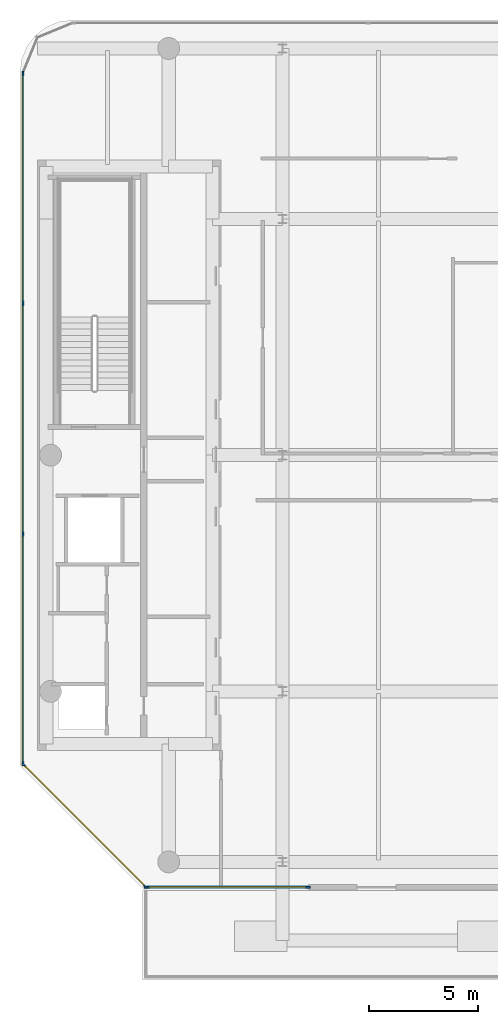
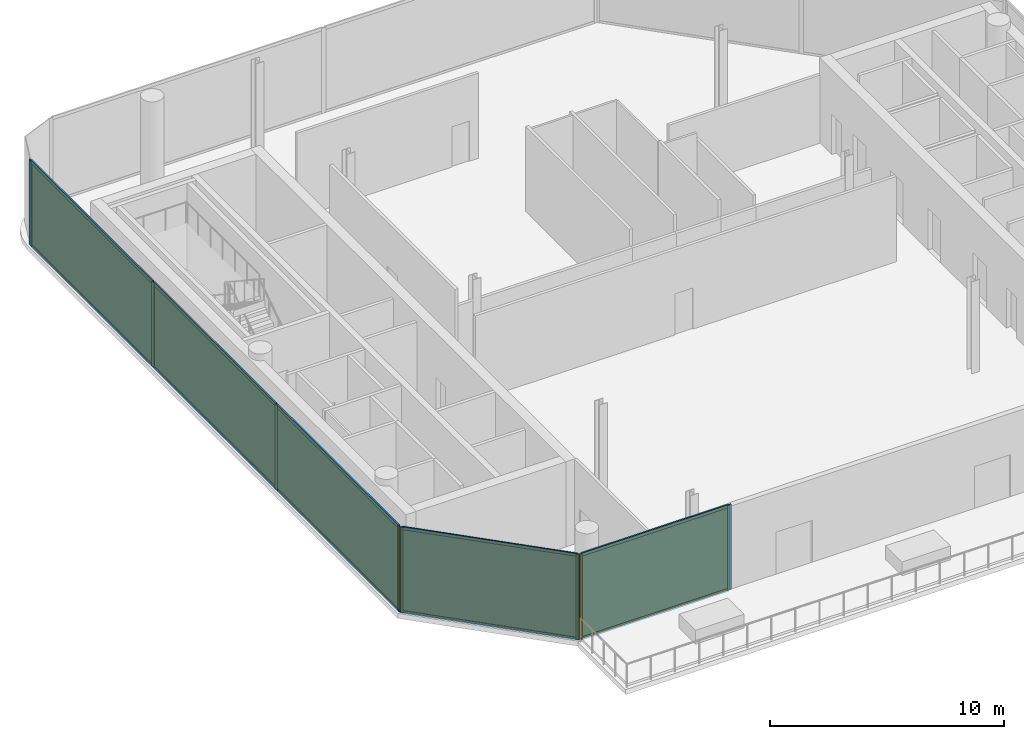
# One storey, part 7 of 14: 18 members, 5 plates, 3 curtain walls.
"""IFC4 building model written with IfcOpenShell, lengths in metres."""

from ifc_helpers import new_model, si_unit, direction, frame, frame_2d, origin, origin_2d, place, context, subcontext, project, spatial, rectangle, extrude, material, layer, layer_set, material_profile, profile_set, type_object, element, aggregate, save


model = new_model("IFC4")

# Units and contexts
model_context = context("Model", 3, precision=1e-05, world=origin(), true_north=direction((0.0, 1.0)))
body_context = subcontext(model_context, "Body", "Model", "MODEL_VIEW")
ifc_project = project(units=[si_unit("LENGTHUNIT", "METRE"), si_unit("AREAUNIT", "SQUARE_METRE"), si_unit("VOLUMEUNIT", "CUBIC_METRE"), si_unit("PLANEANGLEUNIT", "RADIAN"), si_unit("MASSUNIT", "GRAM", prefix="KILO")], contexts=[model_context])

# Member
ifc_material_1 = material(Name="Anodised Bronze Aluminium 6063-T6", Category="aluminium")
ifc_material_profile_1 = material_profile(ifc_material_1, rectangle(XDim=0.074951171875, YDim=0.2099609375, at=origin_2d()))
ifc_profile_set_1 = profile_set([ifc_material_profile_1], Name="Anodised Bronze Aluminium 6063-T6")
member_type_1 = type_object("IfcMemberType", Name="CW-CRN Mullion 75x210", PredefinedType="MULLION", material=ifc_profile_set_1)
site_placement = place(None, origin())
building_placement = place(site_placement, origin())
storey_placement = place(building_placement, frame((0.0, 0.0, 320.39990234375)))
member_1_placement = place(storey_placement, frame((-15.404541015625, -19.760009765625, 0.0), z_axis=(0.0, 0.0, 1.0), x_axis=(0.0, 1.0, 0.0)))
member_1 = element("IfcMember", 1, at=member_1_placement, type_object=member_type_1, Name="CW-CRN mullion 1", PredefinedType="MULLION", context=body_context, shape_type="SweptSolid", body=[
    extrude(rectangle(XDim=0.074951171875, YDim=0.2099609375, at=origin_2d()), origin(), (0.0, 0.0, 1.0), 4.4501953125),
])

member_2_placement = place(storey_placement, frame((-8.03759765625, -19.760009765625, 0.0), z_axis=(0.0, 0.0, 1.0), x_axis=(0.0, 1.0, 0.0)))
member_2 = element("IfcMember", 2, at=member_2_placement, type_object=member_type_1, Name="CW-CRN mullion 2", PredefinedType="MULLION", context=body_context, shape_type="SweptSolid", body=[
    extrude(rectangle(XDim=0.074951171875, YDim=0.2099609375, at=origin_2d()), origin(), (0.0, 0.0, 1.0), 4.4501953125),
])

member_3_placement = place(storey_placement, frame((-21.06005859375, -14.1044921875, 0.0), z_axis=(0.0, 0.0, 1.0), x_axis=(-1.0, 0.0, 0.0)))
member_3 = element("IfcMember", 3, at=member_3_placement, type_object=member_type_1, Name="CW-CRN mullion 1", PredefinedType="MULLION", context=body_context, shape_type="SweptSolid", body=[
    extrude(rectangle(XDim=0.074951171875, YDim=0.2099609375, at=origin_2d()), origin(), (0.0, 0.0, 1.0), 4.4501953125),
])

member_4_placement = place(storey_placement, frame((-21.06005859375, -3.59765625, 0.0), z_axis=(0.0, 0.0, 1.0), x_axis=(-1.0, 0.0, 0.0)))
member_4 = element("IfcMember", 4, at=member_4_placement, type_object=member_type_1, Name="CW-CRN mullion 2", PredefinedType="MULLION", context=body_context, shape_type="SweptSolid", body=[
    extrude(rectangle(XDim=0.074951171875, YDim=0.2099609375, at=origin_2d()), origin(), (0.0, 0.0, 1.0), 4.4501953125),
])

member_5_placement = place(storey_placement, frame((-21.06005859375, 6.946533203125, 0.0), z_axis=(0.0, 0.0, 1.0), x_axis=(-1.0, 0.0, 0.0)))
member_5 = element("IfcMember", 5, at=member_5_placement, type_object=member_type_1, Name="CW-CRN mullion 3", PredefinedType="MULLION", context=body_context, shape_type="SweptSolid", body=[
    extrude(rectangle(XDim=0.074951171875, YDim=0.2099609375, at=origin_2d()), origin(), (0.0, 0.0, 1.0), 4.4501953125),
])

member_6_placement = place(storey_placement, frame((-21.06005859375, 17.453369140625, 0.0), z_axis=(0.0, 0.0, 1.0), x_axis=(-1.0, 0.0, 0.0)))
member_6 = element("IfcMember", 6, at=member_6_placement, type_object=member_type_1, Name="CW-CRN mullion 4", PredefinedType="MULLION", context=body_context, shape_type="SweptSolid", body=[
    extrude(rectangle(XDim=0.074951171875, YDim=0.2099609375, at=origin_2d()), origin(), (0.0, 0.0, 1.0), 4.4501953125),
])

ifc_material_2 = material(Name="Anodised Bronze Aluminium 6063-T6", Category="aluminium")
ifc_material_profile_2 = material_profile(ifc_material_2, rectangle(XDim=0.074951171875, YDim=0.1650390625, at=origin_2d()))
ifc_profile_set_2 = profile_set([ifc_material_profile_2], Name="Anodised Bronze Aluminium 6063-T6")
member_type_2 = type_object("IfcMemberType", Name="CW-CRN Transom 75x165", PredefinedType="USERDEFINED", material=ifc_profile_set_2)
member_7_placement = place(storey_placement, frame((-15.366943359375, -19.760009765625, 0.03759765625), z_axis=(1.0, 0.0, 0.0), x_axis=(0.0, 1.0, 0.0)))
member_7 = element("IfcMember", 7, at=member_7_placement, type_object=member_type_2, Name="CW-CRN transom 1.1", ObjectType="TRANSOM", PredefinedType="USERDEFINED", context=body_context, shape_type="SweptSolid", body=[
    extrude(rectangle(XDim=0.074951171875, YDim=0.1650390625, at=origin_2d()), origin(), (0.0, 0.0, 1.0), 7.2919921875),
])

member_8_placement = place(storey_placement, frame((-15.366943359375, -19.760009765625, 4.41259765625), z_axis=(1.0, 0.0, 0.0), x_axis=(0.0, 1.0, 0.0)))
member_8 = element("IfcMember", 8, at=member_8_placement, type_object=member_type_2, Name="CW-CRN transom 1.2", ObjectType="TRANSOM", PredefinedType="USERDEFINED", context=body_context, shape_type="SweptSolid", body=[
    extrude(rectangle(XDim=0.074951171875, YDim=0.1650390625, at=origin_2d()), origin(), (0.0, 0.0, 1.0), 7.2919921875),
])

member_9_placement = place(storey_placement, frame((-21.06005859375, -14.06689453125, 0.03759765625), z_axis=(0.0, 1.0, 0.0), x_axis=(-1.0, 0.0, 0.0)))
member_9 = element("IfcMember", 9, at=member_9_placement, type_object=member_type_2, Name="CW-CRN transom 1.1", ObjectType="TRANSOM", PredefinedType="USERDEFINED", context=body_context, shape_type="SweptSolid", body=[
    extrude(rectangle(XDim=0.074951171875, YDim=0.1650390625, at=origin_2d()), origin(), (0.0, 0.0, 1.0), 10.431640625),
])

member_10_placement = place(storey_placement, frame((-21.06005859375, -14.06689453125, 4.41259765625), z_axis=(0.0, 1.0, 0.0), x_axis=(-1.0, 0.0, 0.0)))
member_10 = element("IfcMember", 10, at=member_10_placement, type_object=member_type_2, Name="CW-CRN transom 1.2", ObjectType="TRANSOM", PredefinedType="USERDEFINED", context=body_context, shape_type="SweptSolid", body=[
    extrude(rectangle(XDim=0.074951171875, YDim=0.1650390625, at=origin_2d()), origin(), (0.0, 0.0, 1.0), 10.431640625),
])

member_11_placement = place(storey_placement, frame((-21.06005859375, -3.560302734375, 0.03759765625), z_axis=(0.0, 1.0, 0.0), x_axis=(-1.0, 0.0, 0.0)))
member_11 = element("IfcMember", 11, at=member_11_placement, type_object=member_type_2, Name="CW-CRN transom 2.1", ObjectType="TRANSOM", PredefinedType="USERDEFINED", context=body_context, shape_type="SweptSolid", body=[
    extrude(rectangle(XDim=0.074951171875, YDim=0.1650390625, at=origin_2d()), origin(), (0.0, 0.0, 1.0), 10.46923828125),
])

member_12_placement = place(storey_placement, frame((-21.06005859375, -3.560302734375, 4.41259765625), z_axis=(0.0, 1.0, 0.0), x_axis=(-1.0, 0.0, 0.0)))
member_12 = element("IfcMember", 12, at=member_12_placement, type_object=member_type_2, Name="CW-CRN transom 2.2", ObjectType="TRANSOM", PredefinedType="USERDEFINED", context=body_context, shape_type="SweptSolid", body=[
    extrude(rectangle(XDim=0.074951171875, YDim=0.1650390625, at=origin_2d()), origin(), (0.0, 0.0, 1.0), 10.46923828125),
])

member_13_placement = place(storey_placement, frame((-21.06005859375, 6.984130859375, 0.03759765625), z_axis=(0.0, 1.0, 0.0), x_axis=(-1.0, 0.0, 0.0)))
member_13 = element("IfcMember", 13, at=member_13_placement, type_object=member_type_2, Name="CW-CRN transom 3.1", ObjectType="TRANSOM", PredefinedType="USERDEFINED", context=body_context, shape_type="SweptSolid", body=[
    extrude(rectangle(XDim=0.074951171875, YDim=0.1650390625, at=origin_2d()), origin(), (0.0, 0.0, 1.0), 10.431640625),
])

member_14_placement = place(storey_placement, frame((-21.06005859375, 6.984130859375, 4.41259765625), z_axis=(0.0, 1.0, 0.0), x_axis=(-1.0, 0.0, 0.0)))
member_14 = element("IfcMember", 14, at=member_14_placement, type_object=member_type_2, Name="CW-CRN transom 3.2", ObjectType="TRANSOM", PredefinedType="USERDEFINED", context=body_context, shape_type="SweptSolid", body=[
    extrude(rectangle(XDim=0.074951171875, YDim=0.1650390625, at=origin_2d()), origin(), (0.0, 0.0, 1.0), 10.431640625),
])

ifc_material_3 = material(Name="Anodised Bronze Aluminium 6063-T6", Category="aluminium")
ifc_material_profile_3 = material_profile(ifc_material_3, rectangle(XDim=0.070068359375, YDim=0.18994140625, at=origin_2d()))
ifc_profile_set_3 = profile_set([ifc_material_profile_3], Name="Anodised Bronze Aluminium 6063-T6")
member_type_3 = type_object("IfcMemberType", Name="CW-SLC Mullion 70x190", PredefinedType="MULLION", material=ifc_profile_set_3)
member_15_placement = place(storey_placement, frame((-15.466796875, -19.7353515625, 0.0), z_axis=(0.0, 0.0, 1.0), x_axis=(-0.707106781187, -0.707106781187, 0.0)))
member_15 = element("IfcMember", 15, at=member_15_placement, type_object=member_type_3, Name="CW-SLC mullion 1", PredefinedType="MULLION", context=body_context, shape_type="SweptSolid", body=[
    extrude(rectangle(XDim=0.070068359375, YDim=0.18994140625, at=origin_2d()), origin(), (0.0, 0.0, 1.0), 4.4501953125),
])

member_16_placement = place(storey_placement, frame((-21.03515625, -14.166748046875, 0.0), z_axis=(0.0, 0.0, 1.0), x_axis=(-0.707106781187, -0.707106781187, 0.0)))
member_16 = element("IfcMember", 16, at=member_16_placement, type_object=member_type_3, Name="CW-SLC mullion 2", PredefinedType="MULLION", context=body_context, shape_type="SweptSolid", body=[
    extrude(rectangle(XDim=0.070068359375, YDim=0.18994140625, at=origin_2d()), origin(), (0.0, 0.0, 1.0), 4.4501953125),
])

ifc_material_4 = material(Name="Anodised Bronze Aluminium 6063-T6", Category="aluminium")
ifc_material_profile_4 = material_profile(ifc_material_4, rectangle(XDim=0.070068359375, YDim=0.14990234375, at=origin_2d()))
ifc_profile_set_4 = profile_set([ifc_material_profile_4], Name="Anodised Bronze Aluminium 6063-T6")
member_type_4 = type_object("IfcMemberType", Name="CW-SLC Transom 70x150", PredefinedType="USERDEFINED", material=ifc_profile_set_4)
member_17_placement = place(storey_placement, frame((-15.491455078125, -19.71044921875, 0.03515625), z_axis=(-0.707106781187, 0.707106781187, 0.0), x_axis=(-0.707106781187, -0.707106781187, 0.0)))
member_17 = element("IfcMember", 17, at=member_17_placement, type_object=member_type_4, Name="CW-SLC transom 1.1", ObjectType="TRANSOM", PredefinedType="USERDEFINED", context=body_context, shape_type="SweptSolid", body=[
    extrude(rectangle(XDim=0.070068359375, YDim=0.14990234375, at=origin_2d()), origin(), (0.0, 0.0, 1.0), 7.80517578125),
])

member_18_placement = place(storey_placement, frame((-15.491455078125, -19.71044921875, 4.4150390625), z_axis=(-0.707106781187, 0.707106781187, 0.0), x_axis=(-0.707106781187, -0.707106781187, 0.0)))
member_18 = element("IfcMember", 18, at=member_18_placement, type_object=member_type_4, Name="CW-SLC transom 1.2", ObjectType="TRANSOM", PredefinedType="USERDEFINED", context=body_context, shape_type="SweptSolid", body=[
    extrude(rectangle(XDim=0.070068359375, YDim=0.14990234375, at=origin_2d()), origin(), (0.0, 0.0, 1.0), 7.80517578125),
])

# Plate
ifc_material_5 = material(Name="Low-E Solar Control Laminated Glass", Category="glass")
ifc_layer_1 = layer(ifc_material_5, 0.035888671875, Name="Low-E Solar Control Laminated Glass")
ifc_layer_set_1 = layer_set([ifc_layer_1], Name="Low-E Solar Control Laminated Glass")
plate_type_1 = type_object("IfcPlateType", Name="CW-CRN Low-E Double Glazed Panel 36mm", PredefinedType="CURTAIN_PANEL", material=ifc_layer_set_1)
plate_1_placement = place(storey_placement, frame((-11.720947265625, -19.760009765625, 0.0751953125), z_axis=(0.0, 0.0, 1.0), x_axis=(1.0, 0.0, 0.0)))
plate_1 = element("IfcPlate", 19, at=plate_1_placement, type_object=plate_type_1, Name="CW-CRN panel 1.1", PredefinedType="CURTAIN_PANEL", context=body_context, shape_type="SweptSolid", body=[
    extrude(rectangle(XDim=7.2919921875, YDim=0.035888671875, at=origin_2d()), origin(), (0.0, 0.0, 1.0), 4.300048828125),
])

plate_2_placement = place(storey_placement, frame((-21.06005859375, -8.85107421875, 0.0751953125), z_axis=(0.0, 0.0, 1.0), x_axis=(0.0, 1.0, 0.0)))
plate_2 = element("IfcPlate", 20, at=plate_2_placement, type_object=plate_type_1, Name="CW-CRN panel 1.1", PredefinedType="CURTAIN_PANEL", context=body_context, shape_type="SweptSolid", body=[
    extrude(rectangle(XDim=10.431884765625, YDim=0.035888671875, at=origin_2d()), origin(), (0.0, 0.0, 1.0), 4.300048828125),
])

plate_3_placement = place(storey_placement, frame((-21.06005859375, 1.67431640625, 0.0751953125), z_axis=(0.0, 0.0, 1.0), x_axis=(0.0, 1.0, 0.0)))
plate_3 = element("IfcPlate", 21, at=plate_3_placement, type_object=plate_type_1, Name="CW-CRN panel 2.1", PredefinedType="CURTAIN_PANEL", context=body_context, shape_type="SweptSolid", body=[
    extrude(rectangle(XDim=10.46923828125, YDim=0.035888671875, at=origin_2d()), origin(), (0.0, 0.0, 1.0), 4.300048828125),
])

plate_4_placement = place(storey_placement, frame((-21.06005859375, 12.199951171875, 0.0751953125), z_axis=(0.0, 0.0, 1.0), x_axis=(0.0, 1.0, 0.0)))
plate_4 = element("IfcPlate", 22, at=plate_4_placement, type_object=plate_type_1, Name="CW-CRN panel 3.1", PredefinedType="CURTAIN_PANEL", context=body_context, shape_type="SweptSolid", body=[
    extrude(rectangle(XDim=10.431884765625, YDim=0.035888671875, at=origin_2d()), origin(), (0.0, 0.0, 1.0), 4.300048828125),
])

ifc_material_6 = material(Name="Low-E Solar Control Laminated Glass", Category="glass")
ifc_layer_2 = layer(ifc_material_6, 0.033935546875, Name="Low-E Solar Control Laminated Glass")
ifc_layer_set_2 = layer_set([ifc_layer_2], Name="Low-E Solar Control Laminated Glass")
plate_type_2 = type_object("IfcPlateType", Name="CW-SLC Low-E Double Glazed Panel 34mm", PredefinedType="CURTAIN_PANEL", material=ifc_layer_set_2)
plate_5_placement = place(storey_placement, frame((-18.2509765625, -16.950927734375, 0.070068359375), z_axis=(0.0, 0.0, 1.0), x_axis=(-0.707106781187, 0.707106781187, 0.0)))
plate_5 = element("IfcPlate", 23, at=plate_5_placement, type_object=plate_type_2, Name="CW-SLC panel 1.1", PredefinedType="CURTAIN_PANEL", context=body_context, shape_type="SweptSolid", body=[
    extrude(rectangle(XDim=7.804931640625, YDim=0.033935546875, at=origin_2d()), origin(), (0.0, 0.0, 1.0), 4.31005859375),
])

# Site, building, storey
site = spatial("IfcSite", under=ifc_project, at=site_placement, CompositionType="ELEMENT")
building = spatial("IfcBuilding", under=site, at=building_placement, Name="Khairoan Windgate Tower", CompositionType="ELEMENT")
storey = spatial("IfcBuildingStorey", under=building, at=storey_placement, Name="L77", CompositionType="ELEMENT", Elevation=320.39990234375)

# Curtain wall
ifc_material_7 = material(Name="Anodised Bronze Aluminium 6063-T6", Category="aluminium")
ifc_layer_3 = layer(ifc_material_7, 0.2099609375, Name="Anodised Bronze Aluminium 6063-T6")
ifc_layer_set_3 = layer_set([ifc_layer_3], Name="Anodised Bronze Aluminium 6063-T6")
curtain_wall_type_1 = type_object("IfcCurtainWallType", Name="Crown Observation and Vitrine Curtain Wall CW-CRN", PredefinedType="NOTDEFINED", material=ifc_layer_set_3)
curtain_wall_1_placement = place(storey_placement, frame((-15.44189453125, -19.760009765625, 0.0), z_axis=(0.0, 0.0, 1.0), x_axis=(1.0, 0.0, 0.0)))
curtain_wall_1 = element("IfcCurtainWall", 24, at=curtain_wall_1_placement, inside=storey, type_object=curtain_wall_type_1, Name="L77 South-West Curtain Wall", PredefinedType="NOTDEFINED", context=body_context, shape_type="SweptSolid", body=[
    extrude(rectangle(XDim=7.44189453125, YDim=0.010009765625, at=frame_2d((3.720947265625, 0.0))), origin(), (0.0, 0.0, 1.0), 4.4501953125),
])

aggregate(curtain_wall_1, [member_1, member_2, member_7, member_8, plate_1])

curtain_wall_2_placement = place(storey_placement, frame((-21.06005859375, -14.14208984375, 0.0), z_axis=(0.0, 0.0, 1.0), x_axis=(0.0, 1.0, 0.0)))
curtain_wall_2 = element("IfcCurtainWall", 25, at=curtain_wall_2_placement, inside=storey, type_object=curtain_wall_type_1, Name="L77 Unitised Curtain Wall 3", PredefinedType="NOTDEFINED", context=body_context, shape_type="SweptSolid", body=[
    extrude(rectangle(XDim=31.6328125, YDim=0.010009765625, at=frame_2d((15.81640625, 0.0))), origin(), (0.0, 0.0, 1.0), 4.4501953125),
])

aggregate(curtain_wall_2, [member_3, member_4, member_5, member_6, member_9, member_10, plate_2, member_11, member_12, plate_3, member_13, member_14, plate_4])

ifc_material_8 = material(Name="Anodised Bronze Aluminium 6063-T6", Category="aluminium")
ifc_layer_4 = layer(ifc_material_8, 0.18994140625, Name="Anodised Bronze Aluminium 6063-T6")
ifc_layer_set_4 = layer_set([ifc_layer_4], Name="Anodised Bronze Aluminium 6063-T6")
curtain_wall_type_2 = type_object("IfcCurtainWallType", Name="Diagonal Corner-Slice Facet Curtain Wall CW-SLC", PredefinedType="NOTDEFINED", material=ifc_layer_set_4)
curtain_wall_3_placement = place(storey_placement, frame((-15.44189453125, -19.760009765625, 0.0), z_axis=(0.0, 0.0, 1.0), x_axis=(-0.707122145224, 0.707091416815, 0.0)))
curtain_wall_3 = element("IfcCurtainWall", 26, at=curtain_wall_3_placement, inside=storey, type_object=curtain_wall_type_2, Name="L77 Crystal Slice Curtain Wall 2", PredefinedType="NOTDEFINED", context=body_context, shape_type="SweptSolid", body=[
    extrude(rectangle(XDim=7.945068359375, YDim=0.010009765625, at=frame_2d((3.97265625, 0.0))), origin(), (0.0, 0.0, 1.0), 4.4501953125),
])

aggregate(curtain_wall_3, [member_15, member_16, member_17, member_18, plate_5])

save(model, "model.ifc")
